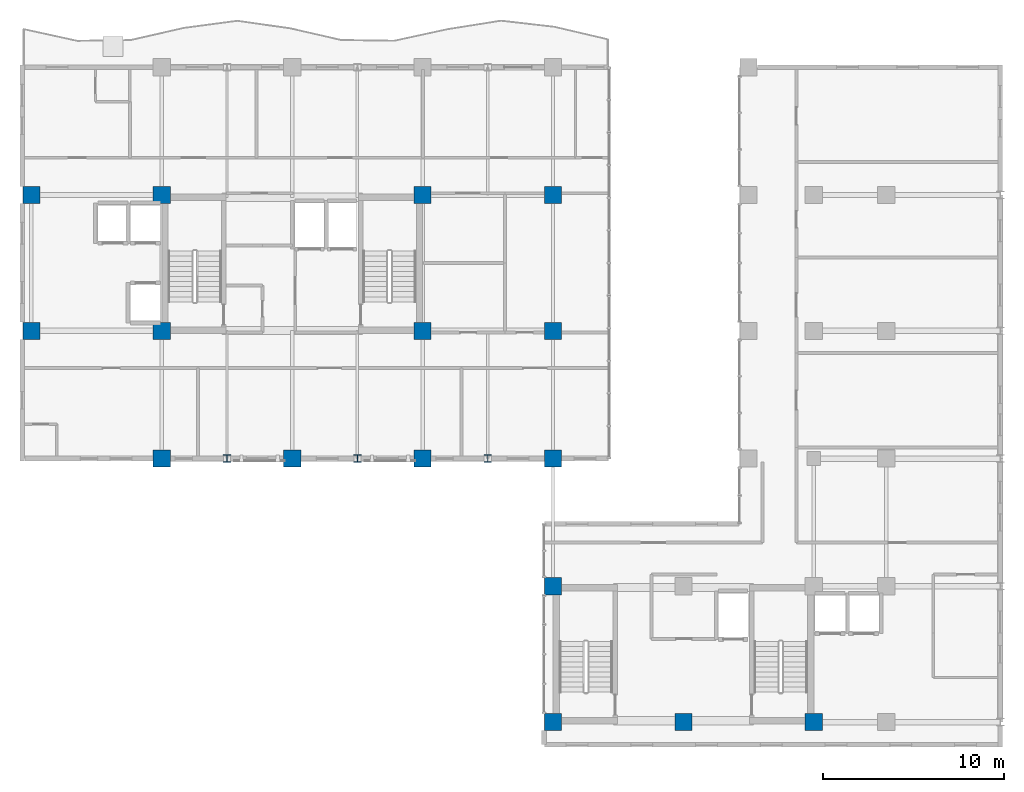
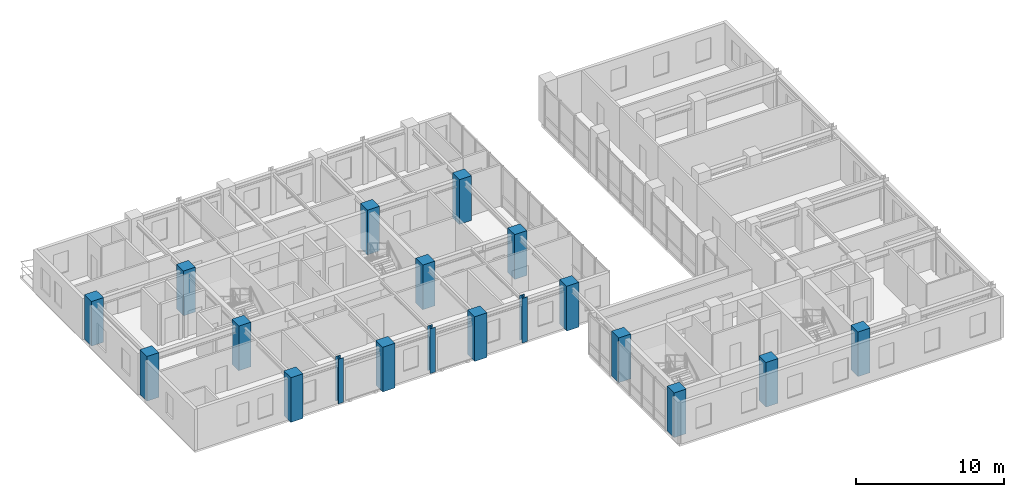
# One storey, part 1 of 24: 19 columns.
"""IFC4 building model written with IfcOpenShell, lengths in metres."""

from ifc_helpers import new_model, si_unit, direction, frame, origin, origin_2d, place, context, subcontext, project, spatial, rectangle, i_section, extrude, source, transform, mapped, material, material_profile, profile_set, type_object, element, save


model = new_model("IFC4")

# Units and contexts
model_context = context("Model", 3, precision=1e-05, world=origin(), true_north=direction((0.0, 1.0)))
body_context = subcontext(model_context, "Body", "Model", "MODEL_VIEW")
ifc_project = project(units=[si_unit("LENGTHUNIT", "METRE"), si_unit("AREAUNIT", "SQUARE_METRE"), si_unit("VOLUMEUNIT", "CUBIC_METRE"), si_unit("PLANEANGLEUNIT", "RADIAN"), si_unit("MASSUNIT", "GRAM", prefix="KILO")], contexts=[model_context])

# Site, building, storey
site_placement = place(None, origin())
site = spatial("IfcSite", under=ifc_project, at=site_placement, CompositionType="ELEMENT")
building_placement = place(site_placement, origin())
building = spatial("IfcBuilding", under=site, at=building_placement, Name="Kaliganga Portal Commons", CompositionType="ELEMENT")
storey_placement = place(building_placement, frame((0.0, 0.0, 235.10009765625)))
storey = spatial("IfcBuildingStorey", under=building, at=storey_placement, Name="L60", CompositionType="ELEMENT", Elevation=235.10009765625)

# Columns
ifc_material_1 = material(Name="Concrete C50/60", Category="concrete")
ifc_material_profile_1 = material_profile(ifc_material_1, rectangle(XDim=0.949951171875, YDim=0.949951171875, at=origin_2d()), Name="RC 950x950")
ifc_profile_set_1 = profile_set([ifc_material_profile_1], Name="Concrete C50/60")
column_type_1 = type_object("IfcColumnType", Name="COL-MEGA-Z4", PredefinedType="COLUMN", material=ifc_profile_set_1)
shared_shape_1 = source(origin(), body_context, "Body", "SweptSolid", [
    extrude(rectangle(XDim=0.949951171875, YDim=0.949951171875, at=origin_2d()), origin(), (0.0, 0.0, 1.0), 3.699951171875),
])
for number, where, z_axis, x_axis, name in (
    (1, (7.199951171875, 28.64990234375, 0.0), (0.0, 0.0, 1.0), (1.0, 0.0, 0.0), "Column MC-05 L60"),
    (2, (7.199951171875, 36.14990234375, 0.0), (0.0, 0.0, 1.0), (1.0, 0.0, 0.0), "Column MC-05 L60"),
    (3, (14.39990234375, 21.60009765625, 0.0), (0.0, 0.0, 1.0), (1.0, 0.0, 0.0), "Column MC-05 L60"),
    (4, (14.39990234375, 28.64990234375, 0.0), (0.0, 0.0, 1.0), (1.0, 0.0, 0.0), "Column MC-05 L60"),
    (5, (14.39990234375, 36.14990234375, 0.0), (0.0, 0.0, 1.0), (1.0, 0.0, 0.0), "Column MC-05 L60"),
    (6, (21.60009765625, 21.60009765625, 0.0), (0.0, 0.0, 1.0), (1.0, 0.0, 0.0), "Column MC-05 L60"),
    (7, (28.800048828125, 21.60009765625, 0.0), (0.0, 0.0, 1.0), (1.0, 0.0, 0.0), "Column MC-05 L60"),
    (8, (28.800048828125, 28.64990234375, 0.0), (0.0, 0.0, 1.0), (1.0, 0.0, 0.0), "Column MC-05 L60"),
    (9, (28.800048828125, 36.14990234375, 0.0), (0.0, 0.0, 1.0), (1.0, 0.0, 0.0), "Column MC-05 L60"),
    (10, (36.0, 21.60009765625, 0.0), (0.0, 0.0, 1.0), (1.0, 0.0, 0.0), "Column MC-05 L60"),
    (11, (36.0, 28.64990234375, 0.0), (0.0, 0.0, 1.0), (1.0, 0.0, 0.0), "Column MC-05 L60"),
    (12, (36.0, 36.14990234375, 0.0), (0.0, 0.0, 1.0), (1.0, 0.0, 0.0), "Column MC-05 L60"),
    (13, (36.0, 7.050048828125, 0.0), (0.0, 0.0, 1.0), (1.0, 0.0, 0.0), "Column MC-05 L60"),
    (14, (36.0, 14.550048828125, 0.0), (0.0, 0.0, 1.0), (1.0, 0.0, 0.0), "Column MC-05 L60"),
    (15, (43.199951171875, 7.050048828125, 0.0), (0.0, 0.0, 1.0), (1.0, 0.0, 0.0), "Column MC-05 L60"),
    (16, (50.39990234375, 7.050048828125, 0.0), (0.0, 0.0, 1.0), (1.0, 0.0, 0.0), "Column MC-05 L60"),
):
    element("IfcColumn", number, at=place(storey_placement, frame(where, z_axis=z_axis, x_axis=x_axis)), inside=storey, type_object=column_type_1, Name=name, PredefinedType="COLUMN", context=body_context, shape_type="MappedRepresentation", body=[
        mapped(shared_shape_1, transform((0.0, 0.0, 0.0), x_axis=(1.0, 0.0, 0.0), y_axis=(0.0, 1.0, 0.0), z_axis=(0.0, 0.0, 1.0), scale=1.0)),
    ])
ifc_material_2 = material(Name="Structural steel S355J2", Category="steel")
ifc_material_profile_2 = material_profile(ifc_material_2, i_section(OverallWidth=0.39892578125, OverallDepth=0.39990234375, WebThickness=0.017333984375, FlangeThickness=0.0234375, FilletRadius=0.014892578125, at=origin_2d()), Name="HD 400x287")
ifc_profile_set_2 = profile_set([ifc_material_profile_2], Name="Structural steel S355J2 wide-flange")
column_type_2 = type_object("IfcColumnType", Name="COL-TUBE-B4", PredefinedType="COLUMN", material=ifc_profile_set_2)
shared_shape_2 = source(origin(), body_context, "Body", "SweptSolid", [
    extrude(i_section(OverallWidth=0.39892578125, OverallDepth=0.39990234375, WebThickness=0.017333984375, FlangeThickness=0.0234375, FilletRadius=0.014892578125, at=origin_2d()), origin(), (0.0, 0.0, 1.0), 3.699951171875),
])
for number, where, z_axis, x_axis, name in (
    (17, (18.0, 21.60009765625, 0.0), (0.0, 0.0, 1.0), (1.0, 0.0, 0.0), "Column TC-04 L60"),
    (18, (25.199951171875, 21.60009765625, 0.0), (0.0, 0.0, 1.0), (1.0, 0.0, 0.0), "Column TC-04 L60"),
    (19, (32.39990234375, 21.60009765625, 0.0), (0.0, 0.0, 1.0), (1.0, 0.0, 0.0), "Column TC-04 L60"),
):
    element("IfcColumn", number, at=place(storey_placement, frame(where, z_axis=z_axis, x_axis=x_axis)), inside=storey, type_object=column_type_2, Name=name, PredefinedType="COLUMN", context=body_context, shape_type="MappedRepresentation", body=[
        mapped(shared_shape_2, transform((0.0, 0.0, 0.0), x_axis=(1.0, 0.0, 0.0), y_axis=(0.0, 1.0, 0.0), z_axis=(0.0, 0.0, 1.0), scale=1.0)),
    ])

save(model, "model.ifc")
